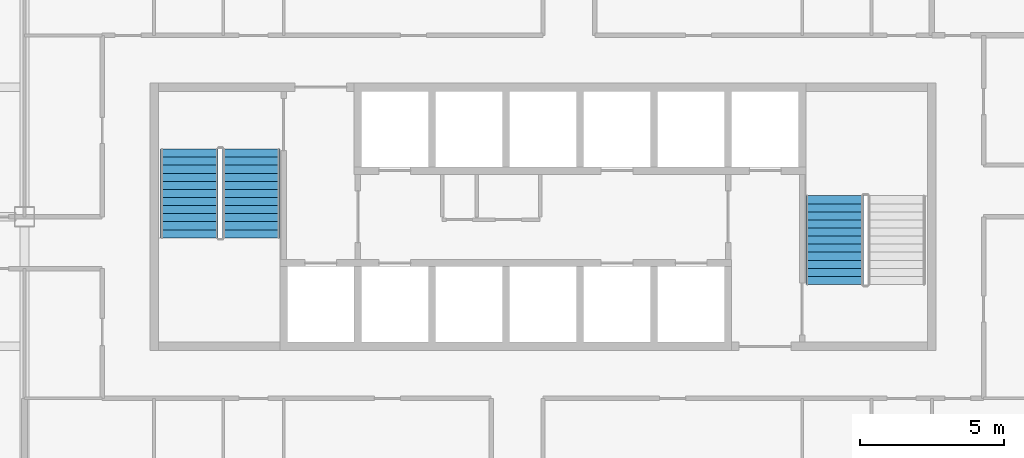
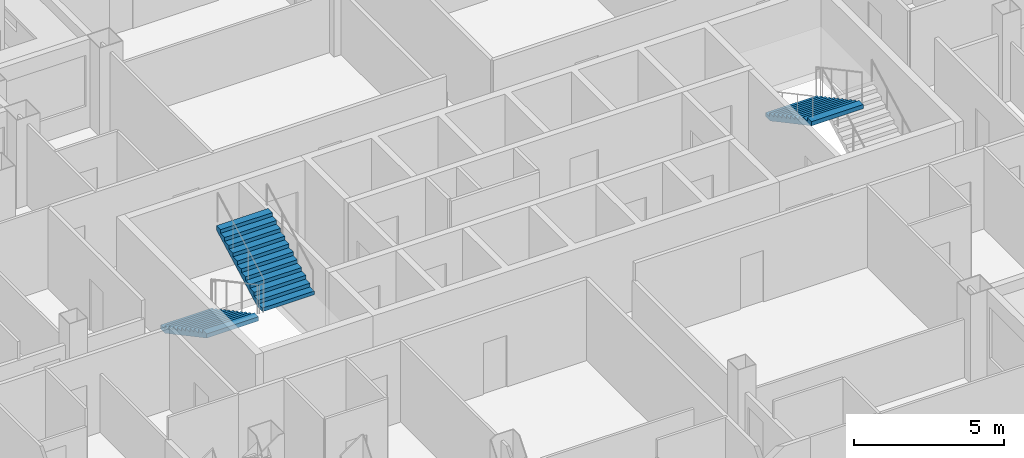
# One storey, part 11 of 21: 3 stair flights, 2 elements without a shape of their own.
"""IFC4 building model written with IfcOpenShell, lengths in metres."""

from ifc_helpers import new_model, si_unit, direction, frame, origin, place, context, subcontext, project, spatial, polygons, material, type_object, element, aggregate, save


model = new_model("IFC4")

# Units and contexts
model_context = context("Model", 3, precision=1e-05, world=origin(), true_north=direction((0.0, 1.0)))
body_context = subcontext(model_context, "Body", "Model", "MODEL_VIEW")
ifc_project = project(units=[si_unit("LENGTHUNIT", "METRE"), si_unit("AREAUNIT", "SQUARE_METRE"), si_unit("VOLUMEUNIT", "CUBIC_METRE"), si_unit("PLANEANGLEUNIT", "RADIAN"), si_unit("MASSUNIT", "GRAM", prefix="KILO")], contexts=[model_context])

# Site, building, storey
site_placement = place(None, origin())
site = spatial("IfcSite", under=ifc_project, at=site_placement, CompositionType="ELEMENT")
building_placement = place(site_placement, origin())
building = spatial("IfcBuilding", under=site, at=building_placement, Name="Caravel Reach Hotel and Residences", CompositionType="ELEMENT")
storey_placement = place(building_placement, frame((0.0, 0.0, 115.199951171875)))
storey = spatial("IfcBuildingStorey", under=building, at=storey_placement, Name="L28", CompositionType="ELEMENT", Elevation=115.199951171875)

# Stair, stair flights
ifc_material_1 = material(Name="Concrete C40", Category="concrete")
stair_type = type_object("IfcStairType", Name="Core stair", PredefinedType="HALF_TURN_STAIR", material=ifc_material_1)
stair_1_placement = place(storey_placement, origin())
stair_1 = element("IfcStair", 1, at=stair_1_placement, inside=storey, type_object=stair_type, Name="L28 Exit stair A", PredefinedType="HALF_TURN_STAIR")
ifc_material_2 = material(Name="Concrete C40", Category="concrete")
stair_flight_type = type_object("IfcStairFlightType", Name="Core stair flight", PredefinedType="STRAIGHT", material=ifc_material_2)
stair_flight_1_placement = place(storey_placement, frame((19.22509765625, 29.35009765625, 0.0), z_axis=(0.0, 0.0, 1.0), x_axis=(0.0, -1.0, 0.0)))
stair_flight_1 = element("IfcStairFlight", 2, at=stair_flight_1_placement, type_object=stair_flight_type, Name="ST-A flight 1", NumberOfRisers=12, NumberOfTreads=11, PredefinedType="STRAIGHT", RiserHeight=0.15, TreadLength=0.28, context=body_context, shape_type="Tessellation", body=[
    polygons([(0.3174408016601862, 1.0, 0.0), (0.3174408016601862, 0.6666666666666667, 0.0), (0.3174408016601862, 0.33333333333333337, 0.0), (0.3174408016601862, 0.0, 0.0), (0.3174408016601862, -0.33333333333333326, 0.0), (0.3174408016601862, -0.6666666666666667, 0.0), (0.3174408016601862, -1.0, 0.0), (3.081, 1.0, 1.479942427682043), (3.081, 0.6666666666666667, 1.479942427682043), (3.081, 0.33333333333333337, 1.479942427682043), (3.081, 0.0, 1.479942427682043), (3.081, -0.33333333333333326, 1.479942427682043), (3.081, -0.6666666666666667, 1.479942427682043), (3.081, -1.0, 1.479942427682043), (3.081, 1.0, 1.65), (3.081, 0.6666666666666667, 1.65), (3.081, 0.33333333333333337, 1.65), (3.081, 0.0, 1.65), (3.081, -0.33333333333333326, 1.65), (3.081, -0.6666666666666667, 1.65), (3.081, -1.0, 1.65), (2.8000000000000003, 1.0, 1.65), (2.8000000000000003, 0.6666666666666667, 1.65), (2.8000000000000003, 0.33333333333333337, 1.65), (2.8000000000000003, 0.0, 1.65), (2.8000000000000003, -0.33333333333333326, 1.65), (2.8000000000000003, -0.6666666666666667, 1.65), (2.8000000000000003, -1.0, 1.65), (2.8000000000000003, 1.0, 1.5), (2.8000000000000003, 0.6666666666666667, 1.5), (2.8000000000000003, 0.33333333333333337, 1.5), (2.8000000000000003, 0.0, 1.5), (2.8000000000000003, -0.33333333333333326, 1.5), (2.8000000000000003, -0.6666666666666667, 1.5), (2.8000000000000003, -1.0, 1.5), (2.5200000000000005, 1.0, 1.5), (2.5200000000000005, 0.6666666666666667, 1.5), (2.5200000000000005, 0.33333333333333337, 1.5), (2.5200000000000005, 0.0, 1.5), (2.5200000000000005, -0.33333333333333326, 1.5), (2.5200000000000005, -0.6666666666666667, 1.5), (2.5200000000000005, -1.0, 1.5), (2.5200000000000005, 1.0, 1.3499999999999999), (2.5200000000000005, 0.6666666666666667, 1.3499999999999999), (2.5200000000000005, 0.33333333333333337, 1.3499999999999999), (2.5200000000000005, 0.0, 1.3499999999999999), (2.5200000000000005, -0.33333333333333326, 1.3499999999999999), (2.5200000000000005, -0.6666666666666667, 1.3499999999999999), (2.5200000000000005, -1.0, 1.3499999999999999), (2.24, 1.0, 1.3499999999999999), (2.24, 0.6666666666666667, 1.3499999999999999), (2.24, 0.33333333333333337, 1.3499999999999999), (2.24, 0.0, 1.3499999999999999), (2.24, -0.33333333333333326, 1.3499999999999999), (2.24, -0.6666666666666667, 1.3499999999999999), (2.24, -1.0, 1.3499999999999999), (2.24, 1.0, 1.2), (2.24, 0.6666666666666667, 1.2), (2.24, 0.33333333333333337, 1.2), (2.24, 0.0, 1.2), (2.24, -0.33333333333333326, 1.2), (2.24, -0.6666666666666667, 1.2), (2.24, -1.0, 1.2), (1.9600000000000002, 1.0, 1.2), (1.9600000000000002, 0.6666666666666667, 1.2), (1.9600000000000002, 0.33333333333333337, 1.2), (1.9600000000000002, 0.0, 1.2), (1.9600000000000002, -0.33333333333333326, 1.2), (1.9600000000000002, -0.6666666666666667, 1.2), (1.9600000000000002, -1.0, 1.2), (1.9600000000000002, 1.0, 1.05), (1.9600000000000002, 0.6666666666666667, 1.05), (1.9600000000000002, 0.33333333333333337, 1.05), (1.9600000000000002, 0.0, 1.05), (1.9600000000000002, -0.33333333333333326, 1.05), (1.9600000000000002, -0.6666666666666667, 1.05), (1.9600000000000002, -1.0, 1.05), (1.6800000000000002, 1.0, 1.05), (1.6800000000000002, 0.6666666666666667, 1.05), (1.6800000000000002, 0.33333333333333337, 1.05), (1.6800000000000002, 0.0, 1.05), (1.6800000000000002, -0.33333333333333326, 1.05), (1.6800000000000002, -0.6666666666666667, 1.05), (1.6800000000000002, -1.0, 1.05), (1.6800000000000002, 1.0, 0.8999999999999999), (1.6800000000000002, 0.6666666666666667, 0.8999999999999999), (1.6800000000000002, 0.33333333333333337, 0.8999999999999999), (1.6800000000000002, 0.0, 0.8999999999999999), (1.6800000000000002, -0.33333333333333326, 0.8999999999999999), (1.6800000000000002, -0.6666666666666667, 0.8999999999999999), (1.6800000000000002, -1.0, 0.8999999999999999), (1.4000000000000001, 1.0, 0.8999999999999999), (1.4000000000000001, 0.6666666666666667, 0.8999999999999999), (1.4000000000000001, 0.33333333333333337, 0.8999999999999999), (1.4000000000000001, 0.0, 0.8999999999999999), (1.4000000000000001, -0.33333333333333326, 0.8999999999999999), (1.4000000000000001, -0.6666666666666667, 0.8999999999999999), (1.4000000000000001, -1.0, 0.8999999999999999), (1.4000000000000001, 1.0, 0.75), (1.4000000000000001, 0.6666666666666667, 0.75), (1.4000000000000001, 0.33333333333333337, 0.75), (1.4000000000000001, 0.0, 0.75), (1.4000000000000001, -0.33333333333333326, 0.75), (1.4000000000000001, -0.6666666666666667, 0.75), (1.4000000000000001, -1.0, 0.75), (1.12, 1.0, 0.75), (1.12, 0.6666666666666667, 0.75), (1.12, 0.33333333333333337, 0.75), (1.12, 0.0, 0.75), (1.12, -0.33333333333333326, 0.75), (1.12, -0.6666666666666667, 0.75), (1.12, -1.0, 0.75), (1.12, 1.0, 0.6), (1.12, 0.6666666666666667, 0.6), (1.12, 0.33333333333333337, 0.6), (1.12, 0.0, 0.6), (1.12, -0.33333333333333326, 0.6), (1.12, -0.6666666666666667, 0.6), (1.12, -1.0, 0.6), (0.8400000000000001, 1.0, 0.6), (0.8400000000000001, 0.6666666666666667, 0.6), (0.8400000000000001, 0.33333333333333337, 0.6), (0.8400000000000001, 0.0, 0.6), (0.8400000000000001, -0.33333333333333326, 0.6), (0.8400000000000001, -0.6666666666666667, 0.6), (0.8400000000000001, -1.0, 0.6), (0.8400000000000001, 1.0, 0.44999999999999996), (0.8400000000000001, 0.6666666666666667, 0.44999999999999996), (0.8400000000000001, 0.33333333333333337, 0.44999999999999996), (0.8400000000000001, 0.0, 0.44999999999999996), (0.8400000000000001, -0.33333333333333326, 0.44999999999999996), (0.8400000000000001, -0.6666666666666667, 0.44999999999999996), (0.8400000000000001, -1.0, 0.44999999999999996), (0.56, 1.0, 0.44999999999999996), (0.56, 0.6666666666666667, 0.44999999999999996), (0.56, 0.33333333333333337, 0.44999999999999996), (0.56, 0.0, 0.44999999999999996), (0.56, -0.33333333333333326, 0.44999999999999996), (0.56, -0.6666666666666667, 0.44999999999999996), (0.56, -1.0, 0.44999999999999996), (0.56, 1.0, 0.3), (0.56, 0.6666666666666667, 0.3), (0.56, 0.33333333333333337, 0.3), (0.56, 0.0, 0.3), (0.56, -0.33333333333333326, 0.3), (0.56, -0.6666666666666667, 0.3), (0.56, -1.0, 0.3), (0.28, 1.0, 0.3), (0.28, 0.6666666666666667, 0.3), (0.28, 0.33333333333333337, 0.3), (0.28, 0.0, 0.3), (0.28, -0.33333333333333326, 0.3), (0.28, -0.6666666666666667, 0.3), (0.28, -1.0, 0.3), (0.28, 1.0, 0.15), (0.28, 0.6666666666666667, 0.15), (0.28, 0.33333333333333337, 0.15), (0.28, 0.0, 0.15), (0.28, -0.33333333333333326, 0.15), (0.28, -0.6666666666666667, 0.15), (0.28, -1.0, 0.15), (-0.001, 1.0, 0.15), (-0.001, 0.6666666666666667, 0.15), (-0.001, 0.33333333333333337, 0.15), (-0.001, 0.0, 0.15), (-0.001, -0.33333333333333326, 0.15), (-0.001, -0.6666666666666667, 0.15), (-0.001, -1.0, 0.15), (-0.001, 1.0, 0.0), (-0.001, 0.6666666666666667, 0.0), (-0.001, 0.33333333333333337, 0.0), (-0.001, 0.0, 0.0), (-0.001, -0.33333333333333326, 0.0), (-0.001, -0.6666666666666667, 0.0), (-0.001, -1.0, 0.0)], [[[169, 162, 155, 148, 141, 134, 127, 120, 113, 106, 99, 92, 85, 78, 71, 64, 57, 50, 43, 36, 29, 22, 15, 8, 1]], [[7, 14, 21, 28, 35, 42, 49, 56, 63, 70, 77, 84, 91, 98, 105, 112, 119, 126, 133, 140, 147, 154, 161, 168, 175]], [[1, 8, 9, 2]], [[2, 9, 10, 3]], [[3, 10, 11, 4]], [[4, 11, 12, 5]], [[5, 12, 13, 6]], [[6, 13, 14, 7]], [[8, 15, 16, 9]], [[9, 16, 17, 10]], [[10, 17, 18, 11]], [[11, 18, 19, 12]], [[12, 19, 20, 13]], [[13, 20, 21, 14]], [[15, 22, 23, 16]], [[16, 23, 24, 17]], [[17, 24, 25, 18]], [[18, 25, 26, 19]], [[19, 26, 27, 20]], [[20, 27, 28, 21]], [[22, 29, 30, 23]], [[23, 30, 31, 24]], [[24, 31, 32, 25]], [[25, 32, 33, 26]], [[26, 33, 34, 27]], [[27, 34, 35, 28]], [[29, 36, 37, 30]], [[30, 37, 38, 31]], [[31, 38, 39, 32]], [[32, 39, 40, 33]], [[33, 40, 41, 34]], [[34, 41, 42, 35]], [[36, 43, 44, 37]], [[37, 44, 45, 38]], [[38, 45, 46, 39]], [[39, 46, 47, 40]], [[40, 47, 48, 41]], [[41, 48, 49, 42]], [[43, 50, 51, 44]], [[44, 51, 52, 45]], [[45, 52, 53, 46]], [[46, 53, 54, 47]], [[47, 54, 55, 48]], [[48, 55, 56, 49]], [[50, 57, 58, 51]], [[51, 58, 59, 52]], [[52, 59, 60, 53]], [[53, 60, 61, 54]], [[54, 61, 62, 55]], [[55, 62, 63, 56]], [[57, 64, 65, 58]], [[58, 65, 66, 59]], [[59, 66, 67, 60]], [[60, 67, 68, 61]], [[61, 68, 69, 62]], [[62, 69, 70, 63]], [[64, 71, 72, 65]], [[65, 72, 73, 66]], [[66, 73, 74, 67]], [[67, 74, 75, 68]], [[68, 75, 76, 69]], [[69, 76, 77, 70]], [[71, 78, 79, 72]], [[72, 79, 80, 73]], [[73, 80, 81, 74]], [[74, 81, 82, 75]], [[75, 82, 83, 76]], [[76, 83, 84, 77]], [[78, 85, 86, 79]], [[79, 86, 87, 80]], [[80, 87, 88, 81]], [[81, 88, 89, 82]], [[82, 89, 90, 83]], [[83, 90, 91, 84]], [[85, 92, 93, 86]], [[86, 93, 94, 87]], [[87, 94, 95, 88]], [[88, 95, 96, 89]], [[89, 96, 97, 90]], [[90, 97, 98, 91]], [[92, 99, 100, 93]], [[93, 100, 101, 94]], [[94, 101, 102, 95]], [[95, 102, 103, 96]], [[96, 103, 104, 97]], [[97, 104, 105, 98]], [[99, 106, 107, 100]], [[100, 107, 108, 101]], [[101, 108, 109, 102]], [[102, 109, 110, 103]], [[103, 110, 111, 104]], [[104, 111, 112, 105]], [[106, 113, 114, 107]], [[107, 114, 115, 108]], [[108, 115, 116, 109]], [[109, 116, 117, 110]], [[110, 117, 118, 111]], [[111, 118, 119, 112]], [[113, 120, 121, 114]], [[114, 121, 122, 115]], [[115, 122, 123, 116]], [[116, 123, 124, 117]], [[117, 124, 125, 118]], [[118, 125, 126, 119]], [[120, 127, 128, 121]], [[121, 128, 129, 122]], [[122, 129, 130, 123]], [[123, 130, 131, 124]], [[124, 131, 132, 125]], [[125, 132, 133, 126]], [[127, 134, 135, 128]], [[128, 135, 136, 129]], [[129, 136, 137, 130]], [[130, 137, 138, 131]], [[131, 138, 139, 132]], [[132, 139, 140, 133]], [[134, 141, 142, 135]], [[135, 142, 143, 136]], [[136, 143, 144, 137]], [[137, 144, 145, 138]], [[138, 145, 146, 139]], [[139, 146, 147, 140]], [[141, 148, 149, 142]], [[142, 149, 150, 143]], [[143, 150, 151, 144]], [[144, 151, 152, 145]], [[145, 152, 153, 146]], [[146, 153, 154, 147]], [[148, 155, 156, 149]], [[149, 156, 157, 150]], [[150, 157, 158, 151]], [[151, 158, 159, 152]], [[152, 159, 160, 153]], [[153, 160, 161, 154]], [[155, 162, 163, 156]], [[156, 163, 164, 157]], [[157, 164, 165, 158]], [[158, 165, 166, 159]], [[159, 166, 167, 160]], [[160, 167, 168, 161]], [[162, 169, 170, 163]], [[163, 170, 171, 164]], [[164, 171, 172, 165]], [[165, 172, 173, 166]], [[166, 173, 174, 167]], [[167, 174, 175, 168]], [[169, 1, 2, 170]], [[170, 2, 3, 171]], [[171, 3, 4, 172]], [[172, 4, 5, 173]], [[173, 5, 6, 174]], [[174, 6, 7, 175]]], closed=True),
])
stair_flight_2_placement = place(storey_placement, frame((21.375, 26.27001953125, 1.800048828125), z_axis=(0.0, 0.0, 1.0), x_axis=(0.0, 1.0, 0.0)))
stair_flight_2 = element("IfcStairFlight", 3, at=stair_flight_2_placement, type_object=stair_flight_type, Name="ST-A flight 2", NumberOfRisers=12, NumberOfTreads=11, PredefinedType="STRAIGHT", RiserHeight=0.15, TreadLength=0.28, context=body_context, shape_type="Tessellation", body=[
    polygons([(0.3174408016601862, 1.0, 0.0), (0.3174408016601862, 0.6666666666666667, 0.0), (0.3174408016601862, 0.33333333333333337, 0.0), (0.3174408016601862, 0.0, 0.0), (0.3174408016601862, -0.33333333333333326, 0.0), (0.3174408016601862, -0.6666666666666667, 0.0), (0.3174408016601862, -1.0, 0.0), (3.081, 1.0, 1.479942427682043), (3.081, 0.6666666666666667, 1.479942427682043), (3.081, 0.33333333333333337, 1.479942427682043), (3.081, 0.0, 1.479942427682043), (3.081, -0.33333333333333326, 1.479942427682043), (3.081, -0.6666666666666667, 1.479942427682043), (3.081, -1.0, 1.479942427682043), (3.081, 1.0, 1.65), (3.081, 0.6666666666666667, 1.65), (3.081, 0.33333333333333337, 1.65), (3.081, 0.0, 1.65), (3.081, -0.33333333333333326, 1.65), (3.081, -0.6666666666666667, 1.65), (3.081, -1.0, 1.65), (2.8000000000000003, 1.0, 1.65), (2.8000000000000003, 0.6666666666666667, 1.65), (2.8000000000000003, 0.33333333333333337, 1.65), (2.8000000000000003, 0.0, 1.65), (2.8000000000000003, -0.33333333333333326, 1.65), (2.8000000000000003, -0.6666666666666667, 1.65), (2.8000000000000003, -1.0, 1.65), (2.8000000000000003, 1.0, 1.5), (2.8000000000000003, 0.6666666666666667, 1.5), (2.8000000000000003, 0.33333333333333337, 1.5), (2.8000000000000003, 0.0, 1.5), (2.8000000000000003, -0.33333333333333326, 1.5), (2.8000000000000003, -0.6666666666666667, 1.5), (2.8000000000000003, -1.0, 1.5), (2.5200000000000005, 1.0, 1.5), (2.5200000000000005, 0.6666666666666667, 1.5), (2.5200000000000005, 0.33333333333333337, 1.5), (2.5200000000000005, 0.0, 1.5), (2.5200000000000005, -0.33333333333333326, 1.5), (2.5200000000000005, -0.6666666666666667, 1.5), (2.5200000000000005, -1.0, 1.5), (2.5200000000000005, 1.0, 1.3499999999999999), (2.5200000000000005, 0.6666666666666667, 1.3499999999999999), (2.5200000000000005, 0.33333333333333337, 1.3499999999999999), (2.5200000000000005, 0.0, 1.3499999999999999), (2.5200000000000005, -0.33333333333333326, 1.3499999999999999), (2.5200000000000005, -0.6666666666666667, 1.3499999999999999), (2.5200000000000005, -1.0, 1.3499999999999999), (2.24, 1.0, 1.3499999999999999), (2.24, 0.6666666666666667, 1.3499999999999999), (2.24, 0.33333333333333337, 1.3499999999999999), (2.24, 0.0, 1.3499999999999999), (2.24, -0.33333333333333326, 1.3499999999999999), (2.24, -0.6666666666666667, 1.3499999999999999), (2.24, -1.0, 1.3499999999999999), (2.24, 1.0, 1.2), (2.24, 0.6666666666666667, 1.2), (2.24, 0.33333333333333337, 1.2), (2.24, 0.0, 1.2), (2.24, -0.33333333333333326, 1.2), (2.24, -0.6666666666666667, 1.2), (2.24, -1.0, 1.2), (1.9600000000000002, 1.0, 1.2), (1.9600000000000002, 0.6666666666666667, 1.2), (1.9600000000000002, 0.33333333333333337, 1.2), (1.9600000000000002, 0.0, 1.2), (1.9600000000000002, -0.33333333333333326, 1.2), (1.9600000000000002, -0.6666666666666667, 1.2), (1.9600000000000002, -1.0, 1.2), (1.9600000000000002, 1.0, 1.05), (1.9600000000000002, 0.6666666666666667, 1.05), (1.9600000000000002, 0.33333333333333337, 1.05), (1.9600000000000002, 0.0, 1.05), (1.9600000000000002, -0.33333333333333326, 1.05), (1.9600000000000002, -0.6666666666666667, 1.05), (1.9600000000000002, -1.0, 1.05), (1.6800000000000002, 1.0, 1.05), (1.6800000000000002, 0.6666666666666667, 1.05), (1.6800000000000002, 0.33333333333333337, 1.05), (1.6800000000000002, 0.0, 1.05), (1.6800000000000002, -0.33333333333333326, 1.05), (1.6800000000000002, -0.6666666666666667, 1.05), (1.6800000000000002, -1.0, 1.05), (1.6800000000000002, 1.0, 0.8999999999999999), (1.6800000000000002, 0.6666666666666667, 0.8999999999999999), (1.6800000000000002, 0.33333333333333337, 0.8999999999999999), (1.6800000000000002, 0.0, 0.8999999999999999), (1.6800000000000002, -0.33333333333333326, 0.8999999999999999), (1.6800000000000002, -0.6666666666666667, 0.8999999999999999), (1.6800000000000002, -1.0, 0.8999999999999999), (1.4000000000000001, 1.0, 0.8999999999999999), (1.4000000000000001, 0.6666666666666667, 0.8999999999999999), (1.4000000000000001, 0.33333333333333337, 0.8999999999999999), (1.4000000000000001, 0.0, 0.8999999999999999), (1.4000000000000001, -0.33333333333333326, 0.8999999999999999), (1.4000000000000001, -0.6666666666666667, 0.8999999999999999), (1.4000000000000001, -1.0, 0.8999999999999999), (1.4000000000000001, 1.0, 0.75), (1.4000000000000001, 0.6666666666666667, 0.75), (1.4000000000000001, 0.33333333333333337, 0.75), (1.4000000000000001, 0.0, 0.75), (1.4000000000000001, -0.33333333333333326, 0.75), (1.4000000000000001, -0.6666666666666667, 0.75), (1.4000000000000001, -1.0, 0.75), (1.12, 1.0, 0.75), (1.12, 0.6666666666666667, 0.75), (1.12, 0.33333333333333337, 0.75), (1.12, 0.0, 0.75), (1.12, -0.33333333333333326, 0.75), (1.12, -0.6666666666666667, 0.75), (1.12, -1.0, 0.75), (1.12, 1.0, 0.6), (1.12, 0.6666666666666667, 0.6), (1.12, 0.33333333333333337, 0.6), (1.12, 0.0, 0.6), (1.12, -0.33333333333333326, 0.6), (1.12, -0.6666666666666667, 0.6), (1.12, -1.0, 0.6), (0.8400000000000001, 1.0, 0.6), (0.8400000000000001, 0.6666666666666667, 0.6), (0.8400000000000001, 0.33333333333333337, 0.6), (0.8400000000000001, 0.0, 0.6), (0.8400000000000001, -0.33333333333333326, 0.6), (0.8400000000000001, -0.6666666666666667, 0.6), (0.8400000000000001, -1.0, 0.6), (0.8400000000000001, 1.0, 0.44999999999999996), (0.8400000000000001, 0.6666666666666667, 0.44999999999999996), (0.8400000000000001, 0.33333333333333337, 0.44999999999999996), (0.8400000000000001, 0.0, 0.44999999999999996), (0.8400000000000001, -0.33333333333333326, 0.44999999999999996), (0.8400000000000001, -0.6666666666666667, 0.44999999999999996), (0.8400000000000001, -1.0, 0.44999999999999996), (0.56, 1.0, 0.44999999999999996), (0.56, 0.6666666666666667, 0.44999999999999996), (0.56, 0.33333333333333337, 0.44999999999999996), (0.56, 0.0, 0.44999999999999996), (0.56, -0.33333333333333326, 0.44999999999999996), (0.56, -0.6666666666666667, 0.44999999999999996), (0.56, -1.0, 0.44999999999999996), (0.56, 1.0, 0.3), (0.56, 0.6666666666666667, 0.3), (0.56, 0.33333333333333337, 0.3), (0.56, 0.0, 0.3), (0.56, -0.33333333333333326, 0.3), (0.56, -0.6666666666666667, 0.3), (0.56, -1.0, 0.3), (0.28, 1.0, 0.3), (0.28, 0.6666666666666667, 0.3), (0.28, 0.33333333333333337, 0.3), (0.28, 0.0, 0.3), (0.28, -0.33333333333333326, 0.3), (0.28, -0.6666666666666667, 0.3), (0.28, -1.0, 0.3), (0.28, 1.0, 0.15), (0.28, 0.6666666666666667, 0.15), (0.28, 0.33333333333333337, 0.15), (0.28, 0.0, 0.15), (0.28, -0.33333333333333326, 0.15), (0.28, -0.6666666666666667, 0.15), (0.28, -1.0, 0.15), (-0.001, 1.0, 0.15), (-0.001, 0.6666666666666667, 0.15), (-0.001, 0.33333333333333337, 0.15), (-0.001, 0.0, 0.15), (-0.001, -0.33333333333333326, 0.15), (-0.001, -0.6666666666666667, 0.15), (-0.001, -1.0, 0.15), (-0.001, 1.0, 0.0), (-0.001, 0.6666666666666667, 0.0), (-0.001, 0.33333333333333337, 0.0), (-0.001, 0.0, 0.0), (-0.001, -0.33333333333333326, 0.0), (-0.001, -0.6666666666666667, 0.0), (-0.001, -1.0, 0.0)], [[[169, 162, 155, 148, 141, 134, 127, 120, 113, 106, 99, 92, 85, 78, 71, 64, 57, 50, 43, 36, 29, 22, 15, 8, 1]], [[7, 14, 21, 28, 35, 42, 49, 56, 63, 70, 77, 84, 91, 98, 105, 112, 119, 126, 133, 140, 147, 154, 161, 168, 175]], [[1, 8, 9, 2]], [[2, 9, 10, 3]], [[3, 10, 11, 4]], [[4, 11, 12, 5]], [[5, 12, 13, 6]], [[6, 13, 14, 7]], [[8, 15, 16, 9]], [[9, 16, 17, 10]], [[10, 17, 18, 11]], [[11, 18, 19, 12]], [[12, 19, 20, 13]], [[13, 20, 21, 14]], [[15, 22, 23, 16]], [[16, 23, 24, 17]], [[17, 24, 25, 18]], [[18, 25, 26, 19]], [[19, 26, 27, 20]], [[20, 27, 28, 21]], [[22, 29, 30, 23]], [[23, 30, 31, 24]], [[24, 31, 32, 25]], [[25, 32, 33, 26]], [[26, 33, 34, 27]], [[27, 34, 35, 28]], [[29, 36, 37, 30]], [[30, 37, 38, 31]], [[31, 38, 39, 32]], [[32, 39, 40, 33]], [[33, 40, 41, 34]], [[34, 41, 42, 35]], [[36, 43, 44, 37]], [[37, 44, 45, 38]], [[38, 45, 46, 39]], [[39, 46, 47, 40]], [[40, 47, 48, 41]], [[41, 48, 49, 42]], [[43, 50, 51, 44]], [[44, 51, 52, 45]], [[45, 52, 53, 46]], [[46, 53, 54, 47]], [[47, 54, 55, 48]], [[48, 55, 56, 49]], [[50, 57, 58, 51]], [[51, 58, 59, 52]], [[52, 59, 60, 53]], [[53, 60, 61, 54]], [[54, 61, 62, 55]], [[55, 62, 63, 56]], [[57, 64, 65, 58]], [[58, 65, 66, 59]], [[59, 66, 67, 60]], [[60, 67, 68, 61]], [[61, 68, 69, 62]], [[62, 69, 70, 63]], [[64, 71, 72, 65]], [[65, 72, 73, 66]], [[66, 73, 74, 67]], [[67, 74, 75, 68]], [[68, 75, 76, 69]], [[69, 76, 77, 70]], [[71, 78, 79, 72]], [[72, 79, 80, 73]], [[73, 80, 81, 74]], [[74, 81, 82, 75]], [[75, 82, 83, 76]], [[76, 83, 84, 77]], [[78, 85, 86, 79]], [[79, 86, 87, 80]], [[80, 87, 88, 81]], [[81, 88, 89, 82]], [[82, 89, 90, 83]], [[83, 90, 91, 84]], [[85, 92, 93, 86]], [[86, 93, 94, 87]], [[87, 94, 95, 88]], [[88, 95, 96, 89]], [[89, 96, 97, 90]], [[90, 97, 98, 91]], [[92, 99, 100, 93]], [[93, 100, 101, 94]], [[94, 101, 102, 95]], [[95, 102, 103, 96]], [[96, 103, 104, 97]], [[97, 104, 105, 98]], [[99, 106, 107, 100]], [[100, 107, 108, 101]], [[101, 108, 109, 102]], [[102, 109, 110, 103]], [[103, 110, 111, 104]], [[104, 111, 112, 105]], [[106, 113, 114, 107]], [[107, 114, 115, 108]], [[108, 115, 116, 109]], [[109, 116, 117, 110]], [[110, 117, 118, 111]], [[111, 118, 119, 112]], [[113, 120, 121, 114]], [[114, 121, 122, 115]], [[115, 122, 123, 116]], [[116, 123, 124, 117]], [[117, 124, 125, 118]], [[118, 125, 126, 119]], [[120, 127, 128, 121]], [[121, 128, 129, 122]], [[122, 129, 130, 123]], [[123, 130, 131, 124]], [[124, 131, 132, 125]], [[125, 132, 133, 126]], [[127, 134, 135, 128]], [[128, 135, 136, 129]], [[129, 136, 137, 130]], [[130, 137, 138, 131]], [[131, 138, 139, 132]], [[132, 139, 140, 133]], [[134, 141, 142, 135]], [[135, 142, 143, 136]], [[136, 143, 144, 137]], [[137, 144, 145, 138]], [[138, 145, 146, 139]], [[139, 146, 147, 140]], [[141, 148, 149, 142]], [[142, 149, 150, 143]], [[143, 150, 151, 144]], [[144, 151, 152, 145]], [[145, 152, 153, 146]], [[146, 153, 154, 147]], [[148, 155, 156, 149]], [[149, 156, 157, 150]], [[150, 157, 158, 151]], [[151, 158, 159, 152]], [[152, 159, 160, 153]], [[153, 160, 161, 154]], [[155, 162, 163, 156]], [[156, 163, 164, 157]], [[157, 164, 165, 158]], [[158, 165, 166, 159]], [[159, 166, 167, 160]], [[160, 167, 168, 161]], [[162, 169, 170, 163]], [[163, 170, 171, 164]], [[164, 171, 172, 165]], [[165, 172, 173, 166]], [[166, 173, 174, 167]], [[167, 174, 175, 168]], [[169, 1, 2, 170]], [[170, 2, 3, 171]], [[171, 3, 4, 172]], [[172, 4, 5, 173]], [[173, 5, 6, 174]], [[174, 6, 7, 175]]], closed=True),
])
aggregate(stair_1, [stair_flight_1, stair_flight_2])

# Stair, stair flight
stair_2_placement = place(storey_placement, origin())
stair_2 = element("IfcStair", 4, at=stair_2_placement, inside=storey, type_object=stair_type, Name="L28 Exit stair B", PredefinedType="HALF_TURN_STAIR")
stair_flight_3_placement = place(storey_placement, frame((41.625, 27.72998046875, 1.800048828125), z_axis=(0.0, 0.0, 1.0), x_axis=(0.0, -1.0, 0.0)))
stair_flight_3 = element("IfcStairFlight", 5, at=stair_flight_3_placement, type_object=stair_flight_type, Name="ST-B flight 2", NumberOfRisers=12, NumberOfTreads=11, PredefinedType="STRAIGHT", RiserHeight=0.15, TreadLength=0.28, context=body_context, shape_type="Tessellation", body=[
    polygons([(0.3174408016601862, 1.0, 0.0), (0.3174408016601862, 0.6666666666666667, 0.0), (0.3174408016601862, 0.33333333333333337, 0.0), (0.3174408016601862, 0.0, 0.0), (0.3174408016601862, -0.33333333333333326, 0.0), (0.3174408016601862, -0.6666666666666667, 0.0), (0.3174408016601862, -1.0, 0.0), (3.081, 1.0, 1.479942427682043), (3.081, 0.6666666666666667, 1.479942427682043), (3.081, 0.33333333333333337, 1.479942427682043), (3.081, 0.0, 1.479942427682043), (3.081, -0.33333333333333326, 1.479942427682043), (3.081, -0.6666666666666667, 1.479942427682043), (3.081, -1.0, 1.479942427682043), (3.081, 1.0, 1.65), (3.081, 0.6666666666666667, 1.65), (3.081, 0.33333333333333337, 1.65), (3.081, 0.0, 1.65), (3.081, -0.33333333333333326, 1.65), (3.081, -0.6666666666666667, 1.65), (3.081, -1.0, 1.65), (2.8000000000000003, 1.0, 1.65), (2.8000000000000003, 0.6666666666666667, 1.65), (2.8000000000000003, 0.33333333333333337, 1.65), (2.8000000000000003, 0.0, 1.65), (2.8000000000000003, -0.33333333333333326, 1.65), (2.8000000000000003, -0.6666666666666667, 1.65), (2.8000000000000003, -1.0, 1.65), (2.8000000000000003, 1.0, 1.5), (2.8000000000000003, 0.6666666666666667, 1.5), (2.8000000000000003, 0.33333333333333337, 1.5), (2.8000000000000003, 0.0, 1.5), (2.8000000000000003, -0.33333333333333326, 1.5), (2.8000000000000003, -0.6666666666666667, 1.5), (2.8000000000000003, -1.0, 1.5), (2.5200000000000005, 1.0, 1.5), (2.5200000000000005, 0.6666666666666667, 1.5), (2.5200000000000005, 0.33333333333333337, 1.5), (2.5200000000000005, 0.0, 1.5), (2.5200000000000005, -0.33333333333333326, 1.5), (2.5200000000000005, -0.6666666666666667, 1.5), (2.5200000000000005, -1.0, 1.5), (2.5200000000000005, 1.0, 1.3499999999999999), (2.5200000000000005, 0.6666666666666667, 1.3499999999999999), (2.5200000000000005, 0.33333333333333337, 1.3499999999999999), (2.5200000000000005, 0.0, 1.3499999999999999), (2.5200000000000005, -0.33333333333333326, 1.3499999999999999), (2.5200000000000005, -0.6666666666666667, 1.3499999999999999), (2.5200000000000005, -1.0, 1.3499999999999999), (2.24, 1.0, 1.3499999999999999), (2.24, 0.6666666666666667, 1.3499999999999999), (2.24, 0.33333333333333337, 1.3499999999999999), (2.24, 0.0, 1.3499999999999999), (2.24, -0.33333333333333326, 1.3499999999999999), (2.24, -0.6666666666666667, 1.3499999999999999), (2.24, -1.0, 1.3499999999999999), (2.24, 1.0, 1.2), (2.24, 0.6666666666666667, 1.2), (2.24, 0.33333333333333337, 1.2), (2.24, 0.0, 1.2), (2.24, -0.33333333333333326, 1.2), (2.24, -0.6666666666666667, 1.2), (2.24, -1.0, 1.2), (1.9600000000000002, 1.0, 1.2), (1.9600000000000002, 0.6666666666666667, 1.2), (1.9600000000000002, 0.33333333333333337, 1.2), (1.9600000000000002, 0.0, 1.2), (1.9600000000000002, -0.33333333333333326, 1.2), (1.9600000000000002, -0.6666666666666667, 1.2), (1.9600000000000002, -1.0, 1.2), (1.9600000000000002, 1.0, 1.05), (1.9600000000000002, 0.6666666666666667, 1.05), (1.9600000000000002, 0.33333333333333337, 1.05), (1.9600000000000002, 0.0, 1.05), (1.9600000000000002, -0.33333333333333326, 1.05), (1.9600000000000002, -0.6666666666666667, 1.05), (1.9600000000000002, -1.0, 1.05), (1.6800000000000002, 1.0, 1.05), (1.6800000000000002, 0.6666666666666667, 1.05), (1.6800000000000002, 0.33333333333333337, 1.05), (1.6800000000000002, 0.0, 1.05), (1.6800000000000002, -0.33333333333333326, 1.05), (1.6800000000000002, -0.6666666666666667, 1.05), (1.6800000000000002, -1.0, 1.05), (1.6800000000000002, 1.0, 0.8999999999999999), (1.6800000000000002, 0.6666666666666667, 0.8999999999999999), (1.6800000000000002, 0.33333333333333337, 0.8999999999999999), (1.6800000000000002, 0.0, 0.8999999999999999), (1.6800000000000002, -0.33333333333333326, 0.8999999999999999), (1.6800000000000002, -0.6666666666666667, 0.8999999999999999), (1.6800000000000002, -1.0, 0.8999999999999999), (1.4000000000000001, 1.0, 0.8999999999999999), (1.4000000000000001, 0.6666666666666667, 0.8999999999999999), (1.4000000000000001, 0.33333333333333337, 0.8999999999999999), (1.4000000000000001, 0.0, 0.8999999999999999), (1.4000000000000001, -0.33333333333333326, 0.8999999999999999), (1.4000000000000001, -0.6666666666666667, 0.8999999999999999), (1.4000000000000001, -1.0, 0.8999999999999999), (1.4000000000000001, 1.0, 0.75), (1.4000000000000001, 0.6666666666666667, 0.75), (1.4000000000000001, 0.33333333333333337, 0.75), (1.4000000000000001, 0.0, 0.75), (1.4000000000000001, -0.33333333333333326, 0.75), (1.4000000000000001, -0.6666666666666667, 0.75), (1.4000000000000001, -1.0, 0.75), (1.12, 1.0, 0.75), (1.12, 0.6666666666666667, 0.75), (1.12, 0.33333333333333337, 0.75), (1.12, 0.0, 0.75), (1.12, -0.33333333333333326, 0.75), (1.12, -0.6666666666666667, 0.75), (1.12, -1.0, 0.75), (1.12, 1.0, 0.6), (1.12, 0.6666666666666667, 0.6), (1.12, 0.33333333333333337, 0.6), (1.12, 0.0, 0.6), (1.12, -0.33333333333333326, 0.6), (1.12, -0.6666666666666667, 0.6), (1.12, -1.0, 0.6), (0.8400000000000001, 1.0, 0.6), (0.8400000000000001, 0.6666666666666667, 0.6), (0.8400000000000001, 0.33333333333333337, 0.6), (0.8400000000000001, 0.0, 0.6), (0.8400000000000001, -0.33333333333333326, 0.6), (0.8400000000000001, -0.6666666666666667, 0.6), (0.8400000000000001, -1.0, 0.6), (0.8400000000000001, 1.0, 0.44999999999999996), (0.8400000000000001, 0.6666666666666667, 0.44999999999999996), (0.8400000000000001, 0.33333333333333337, 0.44999999999999996), (0.8400000000000001, 0.0, 0.44999999999999996), (0.8400000000000001, -0.33333333333333326, 0.44999999999999996), (0.8400000000000001, -0.6666666666666667, 0.44999999999999996), (0.8400000000000001, -1.0, 0.44999999999999996), (0.56, 1.0, 0.44999999999999996), (0.56, 0.6666666666666667, 0.44999999999999996), (0.56, 0.33333333333333337, 0.44999999999999996), (0.56, 0.0, 0.44999999999999996), (0.56, -0.33333333333333326, 0.44999999999999996), (0.56, -0.6666666666666667, 0.44999999999999996), (0.56, -1.0, 0.44999999999999996), (0.56, 1.0, 0.3), (0.56, 0.6666666666666667, 0.3), (0.56, 0.33333333333333337, 0.3), (0.56, 0.0, 0.3), (0.56, -0.33333333333333326, 0.3), (0.56, -0.6666666666666667, 0.3), (0.56, -1.0, 0.3), (0.28, 1.0, 0.3), (0.28, 0.6666666666666667, 0.3), (0.28, 0.33333333333333337, 0.3), (0.28, 0.0, 0.3), (0.28, -0.33333333333333326, 0.3), (0.28, -0.6666666666666667, 0.3), (0.28, -1.0, 0.3), (0.28, 1.0, 0.15), (0.28, 0.6666666666666667, 0.15), (0.28, 0.33333333333333337, 0.15), (0.28, 0.0, 0.15), (0.28, -0.33333333333333326, 0.15), (0.28, -0.6666666666666667, 0.15), (0.28, -1.0, 0.15), (-0.001, 1.0, 0.15), (-0.001, 0.6666666666666667, 0.15), (-0.001, 0.33333333333333337, 0.15), (-0.001, 0.0, 0.15), (-0.001, -0.33333333333333326, 0.15), (-0.001, -0.6666666666666667, 0.15), (-0.001, -1.0, 0.15), (-0.001, 1.0, 0.0), (-0.001, 0.6666666666666667, 0.0), (-0.001, 0.33333333333333337, 0.0), (-0.001, 0.0, 0.0), (-0.001, -0.33333333333333326, 0.0), (-0.001, -0.6666666666666667, 0.0), (-0.001, -1.0, 0.0)], [[[169, 162, 155, 148, 141, 134, 127, 120, 113, 106, 99, 92, 85, 78, 71, 64, 57, 50, 43, 36, 29, 22, 15, 8, 1]], [[7, 14, 21, 28, 35, 42, 49, 56, 63, 70, 77, 84, 91, 98, 105, 112, 119, 126, 133, 140, 147, 154, 161, 168, 175]], [[1, 8, 9, 2]], [[2, 9, 10, 3]], [[3, 10, 11, 4]], [[4, 11, 12, 5]], [[5, 12, 13, 6]], [[6, 13, 14, 7]], [[8, 15, 16, 9]], [[9, 16, 17, 10]], [[10, 17, 18, 11]], [[11, 18, 19, 12]], [[12, 19, 20, 13]], [[13, 20, 21, 14]], [[15, 22, 23, 16]], [[16, 23, 24, 17]], [[17, 24, 25, 18]], [[18, 25, 26, 19]], [[19, 26, 27, 20]], [[20, 27, 28, 21]], [[22, 29, 30, 23]], [[23, 30, 31, 24]], [[24, 31, 32, 25]], [[25, 32, 33, 26]], [[26, 33, 34, 27]], [[27, 34, 35, 28]], [[29, 36, 37, 30]], [[30, 37, 38, 31]], [[31, 38, 39, 32]], [[32, 39, 40, 33]], [[33, 40, 41, 34]], [[34, 41, 42, 35]], [[36, 43, 44, 37]], [[37, 44, 45, 38]], [[38, 45, 46, 39]], [[39, 46, 47, 40]], [[40, 47, 48, 41]], [[41, 48, 49, 42]], [[43, 50, 51, 44]], [[44, 51, 52, 45]], [[45, 52, 53, 46]], [[46, 53, 54, 47]], [[47, 54, 55, 48]], [[48, 55, 56, 49]], [[50, 57, 58, 51]], [[51, 58, 59, 52]], [[52, 59, 60, 53]], [[53, 60, 61, 54]], [[54, 61, 62, 55]], [[55, 62, 63, 56]], [[57, 64, 65, 58]], [[58, 65, 66, 59]], [[59, 66, 67, 60]], [[60, 67, 68, 61]], [[61, 68, 69, 62]], [[62, 69, 70, 63]], [[64, 71, 72, 65]], [[65, 72, 73, 66]], [[66, 73, 74, 67]], [[67, 74, 75, 68]], [[68, 75, 76, 69]], [[69, 76, 77, 70]], [[71, 78, 79, 72]], [[72, 79, 80, 73]], [[73, 80, 81, 74]], [[74, 81, 82, 75]], [[75, 82, 83, 76]], [[76, 83, 84, 77]], [[78, 85, 86, 79]], [[79, 86, 87, 80]], [[80, 87, 88, 81]], [[81, 88, 89, 82]], [[82, 89, 90, 83]], [[83, 90, 91, 84]], [[85, 92, 93, 86]], [[86, 93, 94, 87]], [[87, 94, 95, 88]], [[88, 95, 96, 89]], [[89, 96, 97, 90]], [[90, 97, 98, 91]], [[92, 99, 100, 93]], [[93, 100, 101, 94]], [[94, 101, 102, 95]], [[95, 102, 103, 96]], [[96, 103, 104, 97]], [[97, 104, 105, 98]], [[99, 106, 107, 100]], [[100, 107, 108, 101]], [[101, 108, 109, 102]], [[102, 109, 110, 103]], [[103, 110, 111, 104]], [[104, 111, 112, 105]], [[106, 113, 114, 107]], [[107, 114, 115, 108]], [[108, 115, 116, 109]], [[109, 116, 117, 110]], [[110, 117, 118, 111]], [[111, 118, 119, 112]], [[113, 120, 121, 114]], [[114, 121, 122, 115]], [[115, 122, 123, 116]], [[116, 123, 124, 117]], [[117, 124, 125, 118]], [[118, 125, 126, 119]], [[120, 127, 128, 121]], [[121, 128, 129, 122]], [[122, 129, 130, 123]], [[123, 130, 131, 124]], [[124, 131, 132, 125]], [[125, 132, 133, 126]], [[127, 134, 135, 128]], [[128, 135, 136, 129]], [[129, 136, 137, 130]], [[130, 137, 138, 131]], [[131, 138, 139, 132]], [[132, 139, 140, 133]], [[134, 141, 142, 135]], [[135, 142, 143, 136]], [[136, 143, 144, 137]], [[137, 144, 145, 138]], [[138, 145, 146, 139]], [[139, 146, 147, 140]], [[141, 148, 149, 142]], [[142, 149, 150, 143]], [[143, 150, 151, 144]], [[144, 151, 152, 145]], [[145, 152, 153, 146]], [[146, 153, 154, 147]], [[148, 155, 156, 149]], [[149, 156, 157, 150]], [[150, 157, 158, 151]], [[151, 158, 159, 152]], [[152, 159, 160, 153]], [[153, 160, 161, 154]], [[155, 162, 163, 156]], [[156, 163, 164, 157]], [[157, 164, 165, 158]], [[158, 165, 166, 159]], [[159, 166, 167, 160]], [[160, 167, 168, 161]], [[162, 169, 170, 163]], [[163, 170, 171, 164]], [[164, 171, 172, 165]], [[165, 172, 173, 166]], [[166, 173, 174, 167]], [[167, 174, 175, 168]], [[169, 1, 2, 170]], [[170, 2, 3, 171]], [[171, 3, 4, 172]], [[172, 4, 5, 173]], [[173, 5, 6, 174]], [[174, 6, 7, 175]]], closed=True),
])
aggregate(stair_2, [stair_flight_3])

save(model, "model.ifc")
